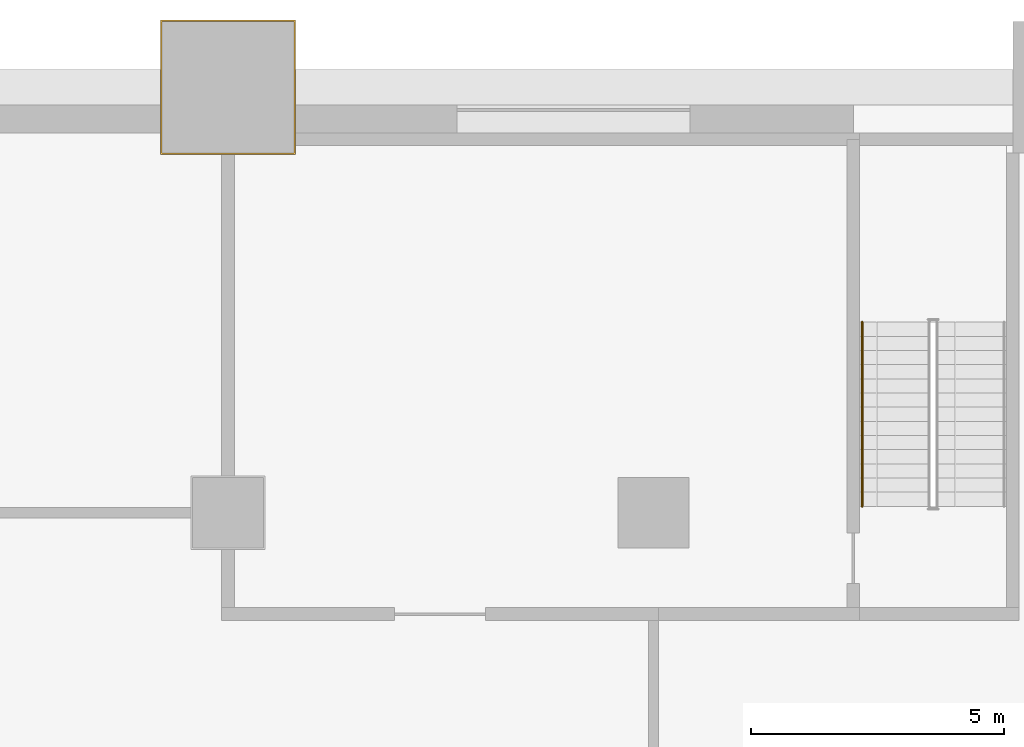
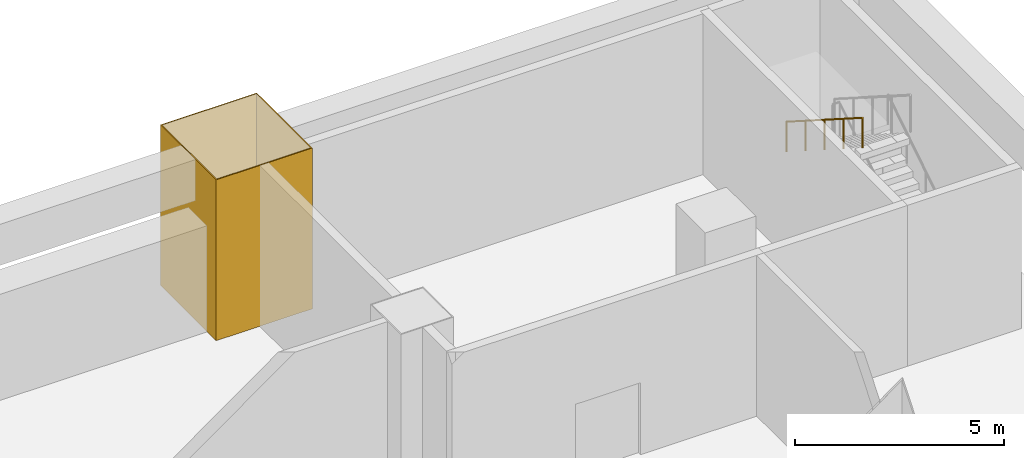
# One storey, part 15 of 18: 1 covering, 1 railing.
"""IFC4 building model written with IfcOpenShell, lengths in metres."""

from ifc_helpers import new_model, si_unit, direction, frame, origin, origin_2d, place, context, subcontext, project, spatial, polyline, circle, outline, extrude, material, layer, layer_set, type_object, element, save


model = new_model("IFC4")

# Units and contexts
model_context = context("Model", 3, precision=1e-05, world=origin(), true_north=direction((0.0, 1.0)))
body_context = subcontext(model_context, "Body", "Model", "MODEL_VIEW")
ifc_project = project(units=[si_unit("LENGTHUNIT", "METRE"), si_unit("AREAUNIT", "SQUARE_METRE"), si_unit("VOLUMEUNIT", "CUBIC_METRE"), si_unit("PLANEANGLEUNIT", "RADIAN"), si_unit("MASSUNIT", "GRAM", prefix="KILO")], contexts=[model_context])

# Site, building, storey
site_placement = place(None, origin())
site = spatial("IfcSite", under=ifc_project, at=site_placement, CompositionType="ELEMENT")
building_placement = place(site_placement, origin())
building = spatial("IfcBuilding", under=site, at=building_placement, Name="Cantera Rosa Tower", CompositionType="ELEMENT")
storey_placement = place(building_placement, frame((0.0, 0.0, 17.0)))
storey = spatial("IfcBuildingStorey", under=building, at=storey_placement, Name="L02", CompositionType="ELEMENT", Elevation=17.0)

# Covering
ifc_material_1 = material(Name="Plaster")
ifc_layer = layer(ifc_material_1, 0.030029296875)
ifc_layer_set = layer_set([ifc_layer], Name="Column casing 30")
covering_type = type_object("IfcCoveringType", Name="Column casing 30", PredefinedType="CLADDING", material=ifc_layer_set)
covering_placement = place(storey_placement, origin())
element("IfcCovering", 1, at=covering_placement, inside=storey, type_object=covering_type, Name="Column casing L02-031", PredefinedType="CLADDING", context=body_context, shape_type="SweptSolid", body=[
    extrude(outline(polyline([(15.469970703125, 28.070068359375), (18.1298828125, 28.070068359375), (18.1298828125, 30.72998046875), (15.469970703125, 30.72998046875), (15.469970703125, 28.070068359375)]), holes=[polyline([(18.10009765625, 30.699951171875), (15.5, 30.699951171875), (15.5, 28.10009765625), (18.10009765625, 28.10009765625), (18.10009765625, 30.699951171875)])]), origin(), (0.0, 0.0, 1.0), 4.699951171875),
])

# Railing
ifc_material_2 = material(Name="Steel S355J2 (EN 10025-2)", Category="steel")
railing_type = type_object("IfcRailingType", Name="STAIR HANDRAIL 900", PredefinedType="HANDRAIL", material=ifc_material_2)
railing_placement = place(storey_placement, frame((29.324951171875, 24.764892578125, 2.678466796875)))
element("IfcRailing", 2, at=railing_placement, inside=storey, type_object=railing_type, Name="L02 ST-NE stair handrail 2", PredefinedType="HANDRAIL", context=body_context, shape_type="SweptSolid", body=[
    extrude(circle(Radius=0.02392578125, at=origin_2d()), frame((0.0, 0.0, 0.8759765625), z_axis=(0.0, -0.843111507901, 0.53773877045), x_axis=(1.0, 0.0, 0.0)), (0.0, 0.0, 1.0), 4.317138671875),
    extrude(circle(Radius=0.02099609375, at=origin_2d()), origin(), (0.0, 0.0, 1.0), 0.851806640625),
    extrude(circle(Radius=0.02099609375, at=origin_2d()), frame((0.0, -0.909912109375, 0.580322265625)), (0.0, 0.0, 1.0), 0.851806640625),
    extrude(circle(Radius=0.02099609375, at=origin_2d()), frame((0.0, -1.81982421875, 1.16064453125)), (0.0, 0.0, 1.0), 0.851806640625),
    extrude(circle(Radius=0.02099609375, at=origin_2d()), frame((0.0, -2.72998046875, 1.7412109375)), (0.0, 0.0, 1.0), 0.851806640625),
    extrude(circle(Radius=0.02099609375, at=origin_2d()), frame((0.0, -3.639892578125, 2.321533203125)), (0.0, 0.0, 1.0), 0.851806640625),
])

save(model, "model.ifc")
